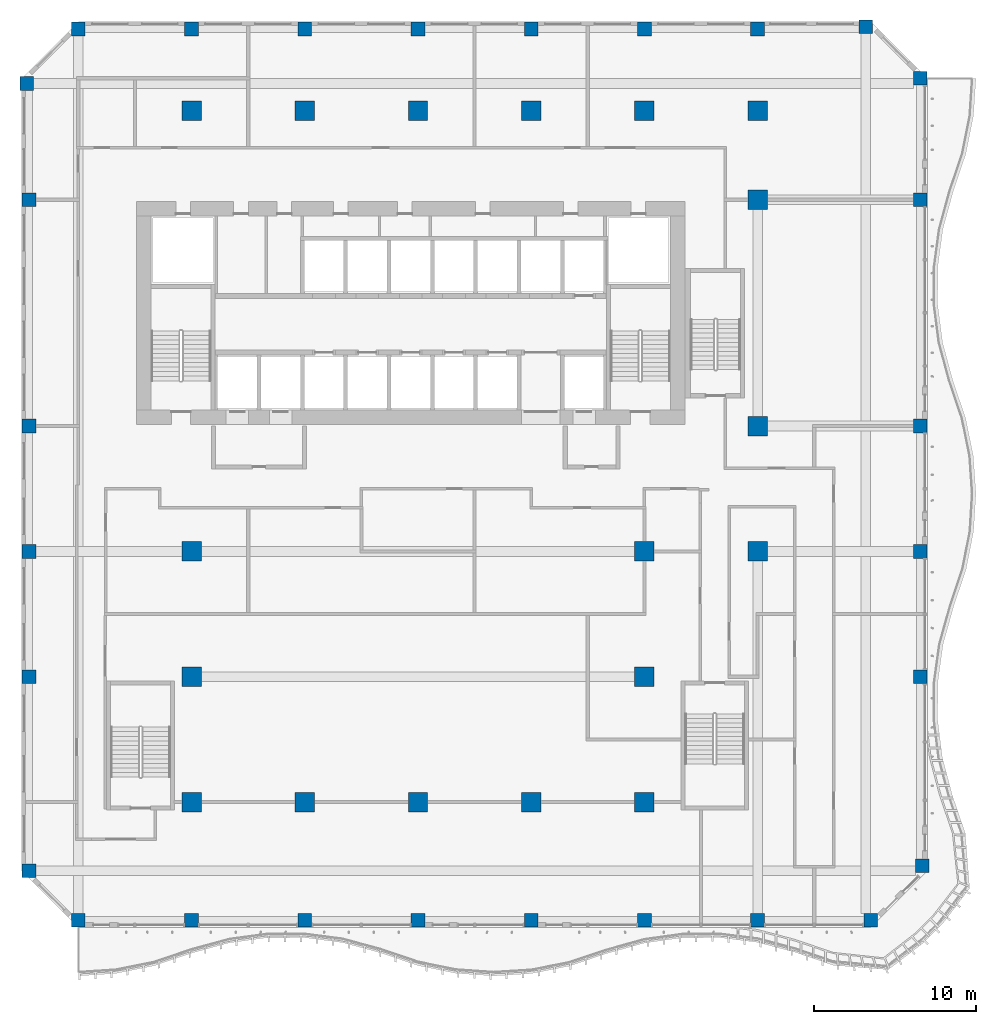
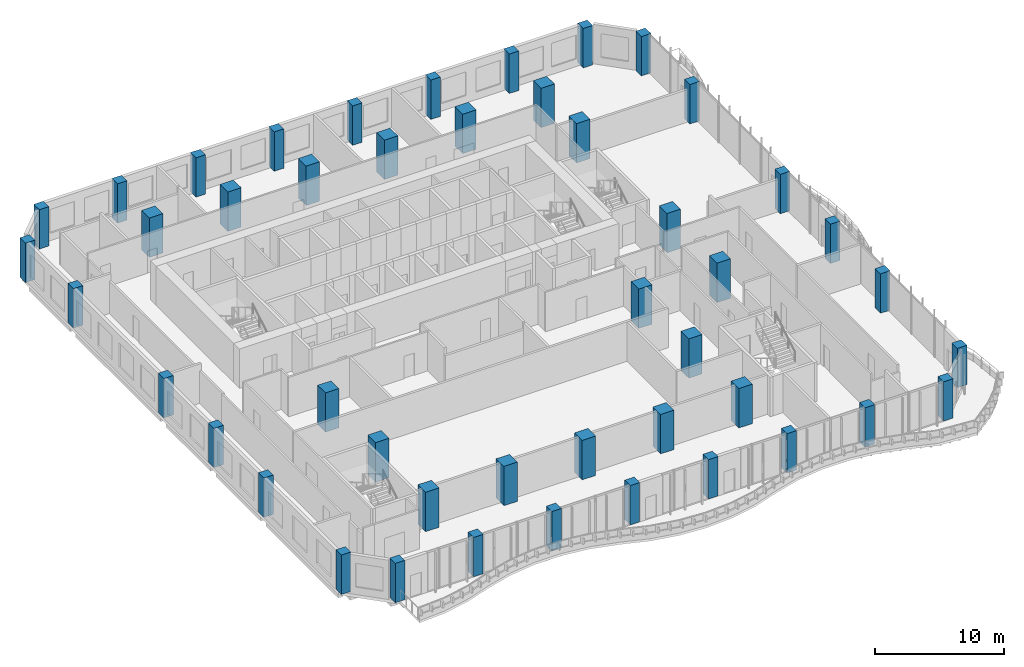
# One storey, part 1 of 27: 46 columns.
"""IFC4 building model written with IfcOpenShell, lengths in metres."""

from ifc_helpers import new_model, si_unit, direction, frame, origin, origin_2d, place, context, subcontext, project, spatial, rectangle, extrude, source, transform, mapped, material, material_profile, profile_set, type_object, element, save


model = new_model("IFC4")

# Units and contexts
model_context = context("Model", 3, precision=1e-05, world=origin(), true_north=direction((0.0, 1.0)))
body_context = subcontext(model_context, "Body", "Model", "MODEL_VIEW")
ifc_project = project(units=[si_unit("LENGTHUNIT", "METRE"), si_unit("AREAUNIT", "SQUARE_METRE"), si_unit("VOLUMEUNIT", "CUBIC_METRE"), si_unit("PLANEANGLEUNIT", "RADIAN"), si_unit("MASSUNIT", "GRAM", prefix="KILO")], contexts=[model_context])

# Site, building, storey
site_placement = place(None, origin())
site = spatial("IfcSite", under=ifc_project, at=site_placement, CompositionType="ELEMENT")
building_placement = place(site_placement, origin())
building = spatial("IfcBuilding", under=site, at=building_placement, Name="Kilnfold Tower and Market Hall", CompositionType="ELEMENT")
storey_placement = place(building_placement, frame((0.0, 0.0, 112.60009765625)))
storey = spatial("IfcBuildingStorey", under=building, at=storey_placement, Name="L26", CompositionType="ELEMENT", Elevation=112.60009765625)

# Columns
ifc_material_1 = material(Name="Concrete C80", Category="concrete")
ifc_material_profile_1 = material_profile(ifc_material_1, rectangle(XDim=0.85009765625, YDim=0.85009765625, at=origin_2d()), Name="RC 850x850")
ifc_profile_set_1 = profile_set([ifc_material_profile_1], Name="Concrete C80")
column_type_1 = type_object("IfcColumnType", Name="COLUMN 850X850 C80", PredefinedType="COLUMN", material=ifc_profile_set_1)
shared_shape_1 = source(origin(), body_context, "Body", "SweptSolid", [
    extrude(rectangle(XDim=0.85009765625, YDim=0.85009765625, at=origin_2d()), origin(), (0.0, 0.0, 1.0), 3.719970703125),
])
for number, where, z_axis, x_axis, name in (
    (1, (-22.681884765625, 29.181884765625, 0.0), (0.0, 0.0, 1.0), (1.0, 0.0, 0.0), "Column C-B3-1I"),
    (2, (-22.550048828125, -19.5, 0.0), (0.0, 0.0, 1.0), (1.0, 0.0, 0.0), "Column C-B3-1B"),
    (3, (-22.550048828125, -7.5, 0.0), (0.0, 0.0, 1.0), (1.0, 0.0, 0.0), "Column C-B3-1D"),
    (4, (-22.550048828125, 0.25, 0.0), (0.0, 0.0, 1.0), (1.0, 0.0, 0.0), "Column C-B3-1E"),
    (5, (-22.550048828125, 8.0, 0.0), (0.0, 0.0, 1.0), (1.0, 0.0, 0.0), "Column C-B3-1F"),
    (6, (-22.550048828125, 22.0, 0.0), (0.0, 0.0, 1.0), (1.0, 0.0, 0.0), "Column C-B3-1G"),
    (7, (-19.5, -22.550048828125, 0.0), (0.0, 0.0, 1.0), (1.0, 0.0, 0.0), "Column C-B3-2A"),
    (8, (-19.5, 32.550048828125, 0.0), (0.0, 0.0, 1.0), (1.0, 0.0, 0.0), "Column C-B3-2J"),
    (9, (-12.5, -22.550048828125, 0.0), (0.0, 0.0, 1.0), (1.0, 0.0, 0.0), "Column C-B3-3A"),
    (10, (-12.5, 32.550048828125, 0.0), (0.0, 0.0, 1.0), (1.0, 0.0, 0.0), "Column C-B3-3J"),
    (11, (-5.5, -22.550048828125, 0.0), (0.0, 0.0, 1.0), (1.0, 0.0, 0.0), "Column C-B3-4A"),
    (12, (-5.5, 32.550048828125, 0.0), (0.0, 0.0, 1.0), (1.0, 0.0, 0.0), "Column C-B3-4J"),
    (13, (1.5, -22.550048828125, 0.0), (0.0, 0.0, 1.0), (1.0, 0.0, 0.0), "Column C-B3-5A"),
    (14, (1.5, 32.550048828125, 0.0), (0.0, 0.0, 1.0), (1.0, 0.0, 0.0), "Column C-B3-5J"),
    (15, (8.5, -22.550048828125, 0.0), (0.0, 0.0, 1.0), (1.0, 0.0, 0.0), "Column C-B3-6A"),
    (16, (8.5, 32.550048828125, 0.0), (0.0, 0.0, 1.0), (1.0, 0.0, 0.0), "Column C-B3-6J"),
    (17, (15.5, -22.550048828125, 0.0), (0.0, 0.0, 1.0), (1.0, 0.0, 0.0), "Column C-B3-7A"),
    (18, (15.5, 32.550048828125, 0.0), (0.0, 0.0, 1.0), (1.0, 0.0, 0.0), "Column C-B3-7J"),
    (19, (22.5, -22.550048828125, 0.0), (0.0, 0.0, 1.0), (1.0, 0.0, 0.0), "Column C-B3-8A"),
    (20, (22.5, 32.550048828125, 0.0), (0.0, 0.0, 1.0), (1.0, 0.0, 0.0), "Column C-B3-8J"),
    (21, (29.181884765625, 32.681884765625, 0.0), (0.0, 0.0, 1.0), (1.0, 0.0, 0.0), "Column C-B3-9J"),
    (22, (29.5, -22.550048828125, 0.0), (0.0, 0.0, 1.0), (1.0, 0.0, 0.0), "Column C-B3-9A"),
    (23, (32.550048828125, -7.5, 0.0), (0.0, 0.0, 1.0), (1.0, 0.0, 0.0), "Column C-B3-10D"),
    (24, (32.550048828125, 0.25, 0.0), (0.0, 0.0, 1.0), (1.0, 0.0, 0.0), "Column C-B3-10E"),
    (25, (32.550048828125, 8.0, 0.0), (0.0, 0.0, 1.0), (1.0, 0.0, 0.0), "Column C-B3-10F"),
    (26, (32.550048828125, 22.0, 0.0), (0.0, 0.0, 1.0), (1.0, 0.0, 0.0), "Column C-B3-10G"),
    (27, (32.550048828125, 29.5, 0.0), (0.0, 0.0, 1.0), (1.0, 0.0, 0.0), "Column C-B3-10I"),
    (28, (32.681884765625, -19.181884765625, 0.0), (0.0, 0.0, 1.0), (1.0, 0.0, 0.0), "Column C-B3-10B"),
):
    element("IfcColumn", number, at=place(storey_placement, frame(where, z_axis=z_axis, x_axis=x_axis)), inside=storey, type_object=column_type_1, Name=name, PredefinedType="COLUMN", context=body_context, shape_type="MappedRepresentation", body=[
        mapped(shared_shape_1, transform((0.0, 0.0, 0.0))),
    ])
ifc_material_2 = material(Name="Concrete C80", Category="concrete")
ifc_material_profile_2 = material_profile(ifc_material_2, rectangle(XDim=1.199951171875, YDim=1.199951171875, at=origin_2d()), Name="RC 1200x1200")
ifc_profile_set_2 = profile_set([ifc_material_profile_2], Name="Concrete C80")
column_type_2 = type_object("IfcColumnType", Name="COLUMN 1200X1200 C80", PredefinedType="COLUMN", material=ifc_profile_set_2)
shared_shape_2 = source(origin(), body_context, "Body", "SweptSolid", [
    extrude(rectangle(XDim=1.199951171875, YDim=1.199951171875, at=origin_2d()), origin(), (0.0, 0.0, 1.0), 3.719970703125),
])
for number, where, z_axis, x_axis, name in (
    (29, (-12.5, -15.25, 0.0), (0.0, 0.0, 1.0), (1.0, 0.0, 0.0), "Column C-B3-3C"),
    (30, (-12.5, -7.5, 0.0), (0.0, 0.0, 1.0), (1.0, 0.0, 0.0), "Column C-B3-3D"),
    (31, (-12.5, 0.25, 0.0), (0.0, 0.0, 1.0), (1.0, 0.0, 0.0), "Column C-B3-3E"),
    (32, (-12.5, 27.5, 0.0), (0.0, 0.0, 1.0), (1.0, 0.0, 0.0), "Column C-B3-3H"),
    (33, (-5.5, -15.25, 0.0), (0.0, 0.0, 1.0), (1.0, 0.0, 0.0), "Column C-B3-4C"),
    (34, (-5.5, 27.5, 0.0), (0.0, 0.0, 1.0), (1.0, 0.0, 0.0), "Column C-B3-4H"),
    (35, (1.5, -15.25, 0.0), (0.0, 0.0, 1.0), (1.0, 0.0, 0.0), "Column C-B3-5C"),
    (36, (1.5, 27.5, 0.0), (0.0, 0.0, 1.0), (1.0, 0.0, 0.0), "Column C-B3-5H"),
    (37, (8.5, -15.25, 0.0), (0.0, 0.0, 1.0), (1.0, 0.0, 0.0), "Column C-B3-6C"),
    (38, (8.5, 27.5, 0.0), (0.0, 0.0, 1.0), (1.0, 0.0, 0.0), "Column C-B3-6H"),
    (39, (15.5, -15.25, 0.0), (0.0, 0.0, 1.0), (1.0, 0.0, 0.0), "Column C-B3-7C"),
    (40, (15.5, -7.5, 0.0), (0.0, 0.0, 1.0), (1.0, 0.0, 0.0), "Column C-B3-7D"),
    (41, (15.5, 0.25, 0.0), (0.0, 0.0, 1.0), (1.0, 0.0, 0.0), "Column C-B3-7E"),
    (42, (15.5, 27.5, 0.0), (0.0, 0.0, 1.0), (1.0, 0.0, 0.0), "Column C-B3-7H"),
    (43, (22.5, 0.25, 0.0), (0.0, 0.0, 1.0), (1.0, 0.0, 0.0), "Column C-B3-8E"),
    (44, (22.5, 8.0, 0.0), (0.0, 0.0, 1.0), (1.0, 0.0, 0.0), "Column C-B3-8F"),
    (45, (22.5, 22.0, 0.0), (0.0, 0.0, 1.0), (1.0, 0.0, 0.0), "Column C-B3-8G"),
    (46, (22.5, 27.5, 0.0), (0.0, 0.0, 1.0), (1.0, 0.0, 0.0), "Column C-B3-8H"),
):
    element("IfcColumn", number, at=place(storey_placement, frame(where, z_axis=z_axis, x_axis=x_axis)), inside=storey, type_object=column_type_2, Name=name, PredefinedType="COLUMN", context=body_context, shape_type="MappedRepresentation", body=[
        mapped(shared_shape_2, transform((0.0, 0.0, 0.0))),
    ])

save(model, "model.ifc")
